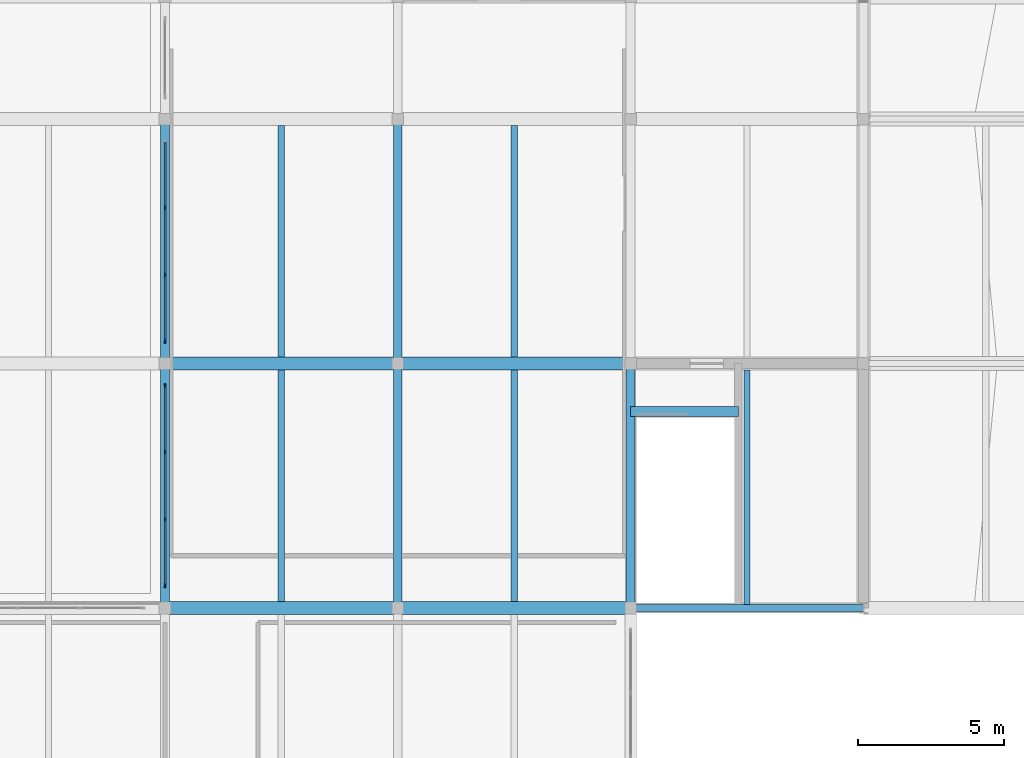
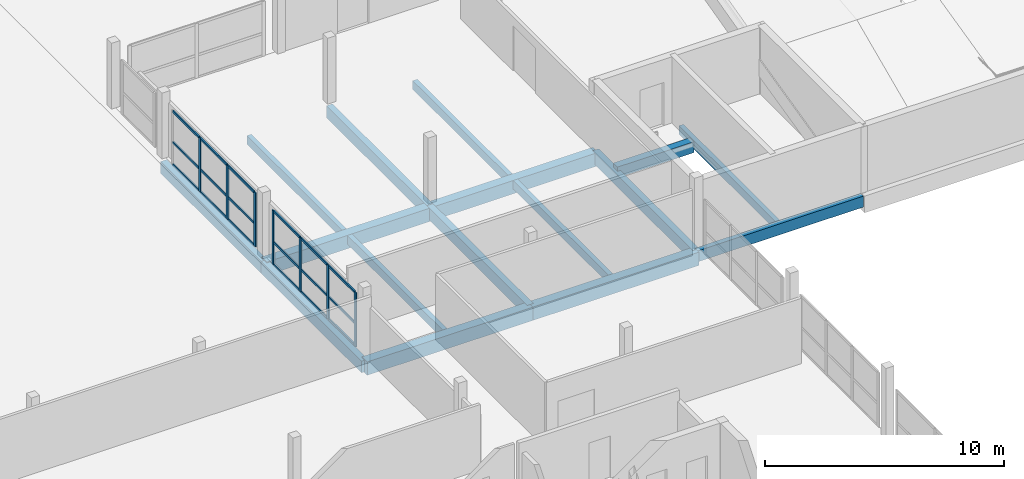
# One storey, part 21 of 51: 25 members, 16 beams, 2 elements without a shape of their own.
"""IFC4 building model written with IfcOpenShell, lengths in metres."""

from ifc_helpers import new_model, si_unit, direction, frame, origin, origin_2d, place, context, subcontext, project, spatial, rectangle, extrude, material, material_profile, profile_set, type_object, element, aggregate, save


model = new_model("IFC4")

# Units and contexts
model_context = context("Model", 3, precision=1e-05, world=origin(), true_north=direction((0.0, 1.0)))
body_context = subcontext(model_context, "Body", "Model", "MODEL_VIEW")
ifc_project = project(units=[si_unit("LENGTHUNIT", "METRE"), si_unit("AREAUNIT", "SQUARE_METRE"), si_unit("VOLUMEUNIT", "CUBIC_METRE"), si_unit("PLANEANGLEUNIT", "RADIAN"), si_unit("MASSUNIT", "GRAM", prefix="KILO")], contexts=[model_context])

# Site, building, storey
site_placement = place(None, origin())
site = spatial("IfcSite", under=ifc_project, at=site_placement, CompositionType="ELEMENT")
building_placement = place(site_placement, origin())
building = spatial("IfcBuilding", under=site, at=building_placement, Name="Vharandega Faculty of Natural Sciences", CompositionType="ELEMENT")
storey_placement = place(building_placement, frame((0.0, 0.0, 18.0)))
storey = spatial("IfcBuildingStorey", under=building, at=storey_placement, Name="L04", CompositionType="ELEMENT", Elevation=18.0)

# Curtain wall, members
ifc_material_1 = material(Name="Aluminium and solar-control glass curtain wall", Category="aluminium")
curtain_wall_type_1 = type_object("IfcCurtainWallType", Name="Unitised Curtain Wall System CW-25", PredefinedType="NOTDEFINED", material=ifc_material_1)
curtain_wall_1_placement = place(storey_placement, origin())
curtain_wall_1 = element("IfcCurtainWall", 1, at=curtain_wall_1_placement, inside=storey, type_object=curtain_wall_type_1, Name="Curtain Wall CW-L04-108", PredefinedType="NOTDEFINED")
ifc_material_2 = material(Name="Thermally broken aluminium 6063-T6", Category="aluminium")
ifc_material_profile_1 = material_profile(ifc_material_2, rectangle(XDim=0.06005859375, YDim=0.159912109375, at=origin_2d()), Name="ALU 60x160")
ifc_profile_set_1 = profile_set([ifc_material_profile_1], Name="Thermally broken aluminium 6063-T6")
member_type_1 = type_object("IfcMemberType", Name="CW Mullion 60x160", PredefinedType="MULLION", material=ifc_profile_set_1)
member_1_placement = place(storey_placement, frame((32.0, 64.77001953125, 0.0), z_axis=(0.0, 0.0, 1.0), x_axis=(-1.0, 0.0, 0.0)))
member_1 = element("IfcMember", 2, at=member_1_placement, type_object=member_type_1, Name="CW-25 mullion 1", PredefinedType="MULLION", context=body_context, shape_type="SweptSolid", body=[
    extrude(rectangle(XDim=0.06005859375, YDim=0.159912109375, at=origin_2d()), origin(), (0.0, 0.0, 1.0), 2.760009765625),
])
member_2_placement = place(storey_placement, frame((32.0, 67.046630859375, 0.0), z_axis=(0.0, 0.0, 1.0), x_axis=(-1.0, 0.0, 0.0)))
member_2 = element("IfcMember", 3, at=member_2_placement, type_object=member_type_1, Name="CW-25 mullion 2", PredefinedType="MULLION", context=body_context, shape_type="SweptSolid", body=[
    extrude(rectangle(XDim=0.06005859375, YDim=0.159912109375, at=origin_2d()), origin(), (0.0, 0.0, 1.0), 2.760009765625),
])
member_3_placement = place(storey_placement, frame((32.0, 69.353271484375, 0.0), z_axis=(0.0, 0.0, 1.0), x_axis=(-1.0, 0.0, 0.0)))
member_3 = element("IfcMember", 4, at=member_3_placement, type_object=member_type_1, Name="CW-25 mullion 3", PredefinedType="MULLION", context=body_context, shape_type="SweptSolid", body=[
    extrude(rectangle(XDim=0.06005859375, YDim=0.159912109375, at=origin_2d()), origin(), (0.0, 0.0, 1.0), 2.760009765625),
])
member_4_placement = place(storey_placement, frame((32.0, 71.6298828125, 0.0), z_axis=(0.0, 0.0, 1.0), x_axis=(-1.0, 0.0, 0.0)))
member_4 = element("IfcMember", 5, at=member_4_placement, type_object=member_type_1, Name="CW-25 mullion 4", PredefinedType="MULLION", context=body_context, shape_type="SweptSolid", body=[
    extrude(rectangle(XDim=0.06005859375, YDim=0.159912109375, at=origin_2d()), origin(), (0.0, 0.0, 1.0), 2.760009765625),
])

ifc_material_3 = material(Name="Aluminium and solar-control glass curtain wall", Category="aluminium")
curtain_wall_type_2 = type_object("IfcCurtainWallType", Name="Unitised Curtain Wall System CW-26", PredefinedType="NOTDEFINED", material=ifc_material_3)
curtain_wall_2_placement = place(storey_placement, origin())
curtain_wall_2 = element("IfcCurtainWall", 6, at=curtain_wall_2_placement, inside=storey, type_object=curtain_wall_type_2, Name="Curtain Wall CW-L04-109", PredefinedType="NOTDEFINED")
member_5_placement = place(storey_placement, frame((32.0, 73.169921875, 0.0), z_axis=(0.0, 0.0, 1.0), x_axis=(-1.0, 0.0, 0.0)))
member_5 = element("IfcMember", 7, at=member_5_placement, type_object=member_type_1, Name="CW-26 mullion 1", PredefinedType="MULLION", context=body_context, shape_type="SweptSolid", body=[
    extrude(rectangle(XDim=0.06005859375, YDim=0.159912109375, at=origin_2d()), origin(), (0.0, 0.0, 1.0), 2.760009765625),
])
member_6_placement = place(storey_placement, frame((32.0, 75.44677734375, 0.0), z_axis=(0.0, 0.0, 1.0), x_axis=(-1.0, 0.0, 0.0)))
member_6 = element("IfcMember", 8, at=member_6_placement, type_object=member_type_1, Name="CW-26 mullion 2", PredefinedType="MULLION", context=body_context, shape_type="SweptSolid", body=[
    extrude(rectangle(XDim=0.06005859375, YDim=0.159912109375, at=origin_2d()), origin(), (0.0, 0.0, 1.0), 2.760009765625),
])
member_7_placement = place(storey_placement, frame((32.0, 77.75341796875, 0.0), z_axis=(0.0, 0.0, 1.0), x_axis=(-1.0, 0.0, 0.0)))
member_7 = element("IfcMember", 9, at=member_7_placement, type_object=member_type_1, Name="CW-26 mullion 3", PredefinedType="MULLION", context=body_context, shape_type="SweptSolid", body=[
    extrude(rectangle(XDim=0.06005859375, YDim=0.159912109375, at=origin_2d()), origin(), (0.0, 0.0, 1.0), 2.760009765625),
])

# Member
ifc_material_4 = material(Name="Thermally broken aluminium 6063-T6", Category="aluminium")
ifc_material_profile_2 = material_profile(ifc_material_4, rectangle(XDim=0.06005859375, YDim=0.1201171875, at=origin_2d()), Name="ALU 60x120")
ifc_profile_set_2 = profile_set([ifc_material_profile_2], Name="Thermally broken aluminium 6063-T6")
member_type_2 = type_object("IfcMemberType", Name="CW Transom 60x120", PredefinedType="USERDEFINED", material=ifc_profile_set_2)
member_8_placement = place(storey_placement, frame((32.0, 64.800048828125, 0.030029296875), z_axis=(0.0, 1.0, 0.0), x_axis=(-1.0, 0.0, 0.0)))
member_8 = element("IfcMember", 10, at=member_8_placement, type_object=member_type_2, Name="CW-25 transom 1.1", ObjectType="TRANSOM", PredefinedType="USERDEFINED", context=body_context, shape_type="SweptSolid", body=[
    extrude(rectangle(XDim=0.06005859375, YDim=0.1201171875, at=origin_2d()), origin(), (0.0, 0.0, 1.0), 2.216552734375),
])

member_9_placement = place(storey_placement, frame((32.0, 64.800048828125, 1.1591796875), z_axis=(0.0, 1.0, 0.0), x_axis=(-1.0, 0.0, 0.0)))
member_9 = element("IfcMember", 11, at=member_9_placement, type_object=member_type_2, Name="CW-25 transom 1.2", ObjectType="TRANSOM", PredefinedType="USERDEFINED", context=body_context, shape_type="SweptSolid", body=[
    extrude(rectangle(XDim=0.06005859375, YDim=0.1201171875, at=origin_2d()), origin(), (0.0, 0.0, 1.0), 2.216552734375),
])

member_10_placement = place(storey_placement, frame((32.0, 64.800048828125, 2.72998046875), z_axis=(0.0, 1.0, 0.0), x_axis=(-1.0, 0.0, 0.0)))
member_10 = element("IfcMember", 12, at=member_10_placement, type_object=member_type_2, Name="CW-25 transom 1.3", ObjectType="TRANSOM", PredefinedType="USERDEFINED", context=body_context, shape_type="SweptSolid", body=[
    extrude(rectangle(XDim=0.06005859375, YDim=0.1201171875, at=origin_2d()), origin(), (0.0, 0.0, 1.0), 2.216552734375),
])

member_11_placement = place(storey_placement, frame((32.0, 67.07666015625, 0.030029296875), z_axis=(0.0, 1.0, 0.0), x_axis=(-1.0, 0.0, 0.0)))
member_11 = element("IfcMember", 13, at=member_11_placement, type_object=member_type_2, Name="CW-25 transom 2.1", ObjectType="TRANSOM", PredefinedType="USERDEFINED", context=body_context, shape_type="SweptSolid", body=[
    extrude(rectangle(XDim=0.06005859375, YDim=0.1201171875, at=origin_2d()), origin(), (0.0, 0.0, 1.0), 2.24658203125),
])

member_12_placement = place(storey_placement, frame((32.0, 67.07666015625, 1.1591796875), z_axis=(0.0, 1.0, 0.0), x_axis=(-1.0, 0.0, 0.0)))
member_12 = element("IfcMember", 14, at=member_12_placement, type_object=member_type_2, Name="CW-25 transom 2.2", ObjectType="TRANSOM", PredefinedType="USERDEFINED", context=body_context, shape_type="SweptSolid", body=[
    extrude(rectangle(XDim=0.06005859375, YDim=0.1201171875, at=origin_2d()), origin(), (0.0, 0.0, 1.0), 2.24658203125),
])

member_13_placement = place(storey_placement, frame((32.0, 67.07666015625, 2.72998046875), z_axis=(0.0, 1.0, 0.0), x_axis=(-1.0, 0.0, 0.0)))
member_13 = element("IfcMember", 15, at=member_13_placement, type_object=member_type_2, Name="CW-25 transom 2.3", ObjectType="TRANSOM", PredefinedType="USERDEFINED", context=body_context, shape_type="SweptSolid", body=[
    extrude(rectangle(XDim=0.06005859375, YDim=0.1201171875, at=origin_2d()), origin(), (0.0, 0.0, 1.0), 2.24658203125),
])

member_14_placement = place(storey_placement, frame((32.0, 69.38330078125, 0.030029296875), z_axis=(0.0, 1.0, 0.0), x_axis=(-1.0, 0.0, 0.0)))
member_14 = element("IfcMember", 16, at=member_14_placement, type_object=member_type_2, Name="CW-25 transom 3.1", ObjectType="TRANSOM", PredefinedType="USERDEFINED", context=body_context, shape_type="SweptSolid", body=[
    extrude(rectangle(XDim=0.06005859375, YDim=0.1201171875, at=origin_2d()), origin(), (0.0, 0.0, 1.0), 2.216796875),
])

member_15_placement = place(storey_placement, frame((32.0, 69.38330078125, 1.1591796875), z_axis=(0.0, 1.0, 0.0), x_axis=(-1.0, 0.0, 0.0)))
member_15 = element("IfcMember", 17, at=member_15_placement, type_object=member_type_2, Name="CW-25 transom 3.2", ObjectType="TRANSOM", PredefinedType="USERDEFINED", context=body_context, shape_type="SweptSolid", body=[
    extrude(rectangle(XDim=0.06005859375, YDim=0.1201171875, at=origin_2d()), origin(), (0.0, 0.0, 1.0), 2.216796875),
])

member_16_placement = place(storey_placement, frame((32.0, 69.38330078125, 2.72998046875), z_axis=(0.0, 1.0, 0.0), x_axis=(-1.0, 0.0, 0.0)))
member_16 = element("IfcMember", 18, at=member_16_placement, type_object=member_type_2, Name="CW-25 transom 3.3", ObjectType="TRANSOM", PredefinedType="USERDEFINED", context=body_context, shape_type="SweptSolid", body=[
    extrude(rectangle(XDim=0.06005859375, YDim=0.1201171875, at=origin_2d()), origin(), (0.0, 0.0, 1.0), 2.216796875),
])

aggregate(curtain_wall_1, [member_1, member_2, member_3, member_4, member_8, member_9, member_10, member_11, member_12, member_13, member_14, member_15, member_16])

member_17_placement = place(storey_placement, frame((32.0, 73.199951171875, 0.030029296875), z_axis=(0.0, 1.0, 0.0), x_axis=(-1.0, 0.0, 0.0)))
member_17 = element("IfcMember", 19, at=member_17_placement, type_object=member_type_2, Name="CW-26 transom 1.1", ObjectType="TRANSOM", PredefinedType="USERDEFINED", context=body_context, shape_type="SweptSolid", body=[
    extrude(rectangle(XDim=0.06005859375, YDim=0.1201171875, at=origin_2d()), origin(), (0.0, 0.0, 1.0), 2.216796875),
])

member_18_placement = place(storey_placement, frame((32.0, 73.199951171875, 1.1591796875), z_axis=(0.0, 1.0, 0.0), x_axis=(-1.0, 0.0, 0.0)))
member_18 = element("IfcMember", 20, at=member_18_placement, type_object=member_type_2, Name="CW-26 transom 1.2", ObjectType="TRANSOM", PredefinedType="USERDEFINED", context=body_context, shape_type="SweptSolid", body=[
    extrude(rectangle(XDim=0.06005859375, YDim=0.1201171875, at=origin_2d()), origin(), (0.0, 0.0, 1.0), 2.216796875),
])

member_19_placement = place(storey_placement, frame((32.0, 73.199951171875, 2.72998046875), z_axis=(0.0, 1.0, 0.0), x_axis=(-1.0, 0.0, 0.0)))
member_19 = element("IfcMember", 21, at=member_19_placement, type_object=member_type_2, Name="CW-26 transom 1.3", ObjectType="TRANSOM", PredefinedType="USERDEFINED", context=body_context, shape_type="SweptSolid", body=[
    extrude(rectangle(XDim=0.06005859375, YDim=0.1201171875, at=origin_2d()), origin(), (0.0, 0.0, 1.0), 2.216796875),
])

member_20_placement = place(storey_placement, frame((32.0, 75.4765625, 0.030029296875), z_axis=(0.0, 1.0, 0.0), x_axis=(-1.0, 0.0, 0.0)))
member_20 = element("IfcMember", 22, at=member_20_placement, type_object=member_type_2, Name="CW-26 transom 2.1", ObjectType="TRANSOM", PredefinedType="USERDEFINED", context=body_context, shape_type="SweptSolid", body=[
    extrude(rectangle(XDim=0.06005859375, YDim=0.1201171875, at=origin_2d()), origin(), (0.0, 0.0, 1.0), 2.246826171875),
])

member_21_placement = place(storey_placement, frame((32.0, 75.4765625, 1.1591796875), z_axis=(0.0, 1.0, 0.0), x_axis=(-1.0, 0.0, 0.0)))
member_21 = element("IfcMember", 23, at=member_21_placement, type_object=member_type_2, Name="CW-26 transom 2.2", ObjectType="TRANSOM", PredefinedType="USERDEFINED", context=body_context, shape_type="SweptSolid", body=[
    extrude(rectangle(XDim=0.06005859375, YDim=0.1201171875, at=origin_2d()), origin(), (0.0, 0.0, 1.0), 2.246826171875),
])

member_22_placement = place(storey_placement, frame((32.0, 75.4765625, 2.72998046875), z_axis=(0.0, 1.0, 0.0), x_axis=(-1.0, 0.0, 0.0)))
member_22 = element("IfcMember", 24, at=member_22_placement, type_object=member_type_2, Name="CW-26 transom 2.3", ObjectType="TRANSOM", PredefinedType="USERDEFINED", context=body_context, shape_type="SweptSolid", body=[
    extrude(rectangle(XDim=0.06005859375, YDim=0.1201171875, at=origin_2d()), origin(), (0.0, 0.0, 1.0), 2.246826171875),
])

member_23_placement = place(storey_placement, frame((32.0, 77.783447265625, 0.030029296875), z_axis=(0.0, 1.0, 0.0), x_axis=(-1.0, 0.0, 0.0)))
member_23 = element("IfcMember", 25, at=member_23_placement, type_object=member_type_2, Name="CW-26 transom 3.1", ObjectType="TRANSOM", PredefinedType="USERDEFINED", context=body_context, shape_type="SweptSolid", body=[
    extrude(rectangle(XDim=0.06005859375, YDim=0.1201171875, at=origin_2d()), origin(), (0.0, 0.0, 1.0), 2.216552734375),
])

member_24_placement = place(storey_placement, frame((32.0, 77.783447265625, 1.1591796875), z_axis=(0.0, 1.0, 0.0), x_axis=(-1.0, 0.0, 0.0)))
member_24 = element("IfcMember", 26, at=member_24_placement, type_object=member_type_2, Name="CW-26 transom 3.2", ObjectType="TRANSOM", PredefinedType="USERDEFINED", context=body_context, shape_type="SweptSolid", body=[
    extrude(rectangle(XDim=0.06005859375, YDim=0.1201171875, at=origin_2d()), origin(), (0.0, 0.0, 1.0), 2.216552734375),
])

member_25_placement = place(storey_placement, frame((32.0, 77.783447265625, 2.72998046875), z_axis=(0.0, 1.0, 0.0), x_axis=(-1.0, 0.0, 0.0)))
member_25 = element("IfcMember", 27, at=member_25_placement, type_object=member_type_2, Name="CW-26 transom 3.3", ObjectType="TRANSOM", PredefinedType="USERDEFINED", context=body_context, shape_type="SweptSolid", body=[
    extrude(rectangle(XDim=0.06005859375, YDim=0.1201171875, at=origin_2d()), origin(), (0.0, 0.0, 1.0), 2.216552734375),
])

aggregate(curtain_wall_2, [member_5, member_6, member_7, member_17, member_18, member_19, member_20, member_21, member_22, member_23, member_24, member_25])

# Beams
ifc_material_5 = material(Name="Glulam GL28h", Category="wood")
ifc_material_profile_3 = material_profile(ifc_material_5, rectangle(XDim=0.300048828125, YDim=0.60009765625, at=origin_2d()), Name="GL28h 300x600")
ifc_profile_set_3 = profile_set([ifc_material_profile_3], Name="Glulam GL28h")
beam_type_1 = type_object("IfcBeamType", Name="Glulam Floor Beam 300x600", PredefinedType="BEAM", material=ifc_profile_set_3)
beam_1_placement = place(storey_placement, frame((32.0, 64.0, -0.56005859375), z_axis=(0.0, 1.0, 0.0), x_axis=(-1.0, 0.0, 0.0)))
element("IfcBeam", 28, at=beam_1_placement, inside=storey, type_object=beam_type_1, Name="Beam L04 5/J-K", PredefinedType="BEAM", context=body_context, shape_type="SweptSolid", body=[
    extrude(rectangle(XDim=0.300048828125, YDim=0.60009765625, at=origin_2d()), origin(), (0.0, 0.0, 1.0), 8.39990234375),
])
beam_2_placement = place(storey_placement, frame((32.0, 72.39990234375, -0.56005859375), z_axis=(0.0, 1.0, 0.0), x_axis=(-1.0, 0.0, 0.0)))
element("IfcBeam", 29, at=beam_2_placement, inside=storey, type_object=beam_type_1, Name="Beam L04 5/K-L", PredefinedType="BEAM", context=body_context, shape_type="SweptSolid", body=[
    extrude(rectangle(XDim=0.300048828125, YDim=0.60009765625, at=origin_2d()), origin(), (0.0, 0.0, 1.0), 8.400146484375),
])
beam_3_placement = place(storey_placement, frame((40.0, 64.0, -0.52001953125), z_axis=(0.0, 1.0, 0.0), x_axis=(-1.0, 0.0, 0.0)))
element("IfcBeam", 30, at=beam_3_placement, inside=storey, type_object=beam_type_1, Name="Beam L04 6/J-K", PredefinedType="BEAM", context=body_context, shape_type="SweptSolid", body=[
    extrude(rectangle(XDim=0.300048828125, YDim=0.60009765625, at=origin_2d()), origin(), (0.0, 0.0, 1.0), 8.39990234375),
])
beam_4_placement = place(storey_placement, frame((40.0, 72.39990234375, -0.52001953125), z_axis=(0.0, 1.0, 0.0), x_axis=(-1.0, 0.0, 0.0)))
element("IfcBeam", 31, at=beam_4_placement, inside=storey, type_object=beam_type_1, Name="Beam L04 6/K-L", PredefinedType="BEAM", context=body_context, shape_type="SweptSolid", body=[
    extrude(rectangle(XDim=0.300048828125, YDim=0.60009765625, at=origin_2d()), origin(), (0.0, 0.0, 1.0), 8.400146484375),
])
beam_5_placement = place(storey_placement, frame((48.0, 64.0, -0.52001953125), z_axis=(0.0, 1.0, 0.0), x_axis=(-1.0, 0.0, 0.0)))
element("IfcBeam", 32, at=beam_5_placement, inside=storey, type_object=beam_type_1, Name="Beam L04 7/J-K", PredefinedType="BEAM", context=body_context, shape_type="SweptSolid", body=[
    extrude(rectangle(XDim=0.300048828125, YDim=0.60009765625, at=origin_2d()), origin(), (0.0, 0.0, 1.0), 8.39990234375),
])
ifc_material_6 = material(Name="Glulam GL32h", Category="wood")
ifc_material_profile_4 = material_profile(ifc_material_6, rectangle(XDim=0.43994140625, YDim=0.679931640625, at=origin_2d()), Name="GL32h 440x680")
ifc_profile_set_4 = profile_set([ifc_material_profile_4], Name="Glulam GL32h")
beam_type_2 = type_object("IfcBeamType", Name="Glulam Girder 440x680", PredefinedType="BEAM", material=ifc_profile_set_4)
for number, where, z_axis, x_axis, name in (
    (33, (32.0, 64.0, -0.56005859375), (1.0, 0.0, 0.0), (0.0, 1.0, 0.0), "Beam L04 J/5-6"),
    (34, (40.0, 64.0, -0.56005859375), (1.0, 0.0, 0.0), (0.0, 1.0, 0.0), "Beam L04 J/6-7"),
    (35, (32.0, 72.39990234375, -0.56005859375), (1.0, 0.0, 0.0), (0.0, 1.0, 0.0), "Beam L04 K/5-6"),
    (36, (40.0, 72.39990234375, -0.56005859375), (1.0, 0.0, 0.0), (0.0, 1.0, 0.0), "Beam L04 K/6-7"),
):
    element("IfcBeam", number, at=place(storey_placement, frame(where, z_axis=z_axis, x_axis=x_axis)), inside=storey, type_object=beam_type_2, Name=name, PredefinedType="BEAM", context=body_context, shape_type="SweptSolid", body=[
        extrude(rectangle(XDim=0.43994140625, YDim=0.679931640625, at=origin_2d()), origin(), (0.0, 0.0, 1.0), 8.0),
    ])
ifc_material_7 = material(Name="Glulam GL28h", Category="wood")
ifc_material_profile_5 = material_profile(ifc_material_7, rectangle(XDim=0.219970703125, YDim=0.43994140625, at=origin_2d()), Name="GL28h 220x440")
ifc_profile_set_5 = profile_set([ifc_material_profile_5], Name="Glulam GL28h")
beam_type_3 = type_object("IfcBeamType", Name="Glulam Secondary Joist 220x440", PredefinedType="JOIST", material=ifc_profile_set_5)
for number, where, z_axis, x_axis, name in (
    (37, (36.0, 64.219970703125, -0.43994140625), (0.0, 1.0, 0.0), (-1.0, 0.0, 0.0), "Secondary Joist L04 5-6/J-K"),
    (38, (36.0, 72.6201171875, -0.43994140625), (0.0, 1.0, 0.0), (-1.0, 0.0, 0.0), "Secondary Joist L04 5-6/K-L"),
    (39, (44.0, 64.219970703125, -0.43994140625), (0.0, 1.0, 0.0), (-1.0, 0.0, 0.0), "Secondary Joist L04 6-7/J-K"),
    (40, (44.0, 72.6201171875, -0.43994140625), (0.0, 1.0, 0.0), (-1.0, 0.0, 0.0), "Secondary Joist L04 6-7/K-L"),
):
    element("IfcBeam", number, at=place(storey_placement, frame(where, z_axis=z_axis, x_axis=x_axis)), inside=storey, type_object=beam_type_3, Name=name, PredefinedType="JOIST", context=body_context, shape_type="SweptSolid", body=[
        extrude(rectangle(XDim=0.219970703125, YDim=0.43994140625, at=origin_2d()), origin(), (0.0, 0.0, 1.0), 7.9599609375),
    ])
beam_6_placement = place(storey_placement, frame((52.0, 64.1201171875, -0.43994140625), z_axis=(0.0, 1.0, 0.0), x_axis=(-1.0, 0.0, 0.0)))
element("IfcBeam", 41, at=beam_6_placement, inside=storey, type_object=beam_type_3, Name="Secondary Joist L04 7-8/J-K", PredefinedType="JOIST", context=body_context, shape_type="SweptSolid", body=[
    extrude(rectangle(XDim=0.219970703125, YDim=0.43994140625, at=origin_2d()), origin(), (0.0, 0.0, 1.0), 8.059814453125),
])
ifc_material_8 = material(Name="Glulam GL28h", Category="wood")
ifc_material_profile_6 = material_profile(ifc_material_8, rectangle(XDim=0.239990234375, YDim=0.56005859375, at=origin_2d()), Name="GL28h 240x560")
ifc_profile_set_6 = profile_set([ifc_material_profile_6], Name="Glulam GL28h")
beam_type_4 = type_object("IfcBeamType", Name="Glulam Spandrel Edge Beam 240x560", PredefinedType="SPANDREL", material=ifc_profile_set_6)
beam_7_placement = place(storey_placement, frame((48.0, 64.0, -0.5), z_axis=(1.0, 0.0, 0.0), x_axis=(0.0, 1.0, 0.0)))
element("IfcBeam", 42, at=beam_7_placement, inside=storey, type_object=beam_type_4, Name="Beam L04 J/7-8", PredefinedType="SPANDREL", context=body_context, shape_type="SweptSolid", body=[
    extrude(rectangle(XDim=0.239990234375, YDim=0.56005859375, at=origin_2d()), origin(), (0.0, 0.0, 1.0), 8.0),
])
ifc_material_9 = material(Name="Concrete C40/50", Category="concrete")
ifc_material_profile_7 = material_profile(ifc_material_9, rectangle(XDim=0.35009765625, YDim=0.550048828125, at=origin_2d()), Name="RC 350x550")
ifc_profile_set_7 = profile_set([ifc_material_profile_7], Name="Concrete C40/50")
beam_type_5 = type_object("IfcBeamType", Name="Stair Header Trimmer Beam 350x550", PredefinedType="BEAM", material=ifc_profile_set_7)
beam_8_placement = place(storey_placement, frame((48.0, 70.75, -0.27490234375), z_axis=(1.0, 0.0, 0.0), x_axis=(0.0, 1.0, 0.0)))
element("IfcBeam", 43, at=beam_8_placement, inside=storey, type_object=beam_type_5, Name="Stair Landing Trimmer Beam C5 L04", PredefinedType="BEAM", context=body_context, shape_type="SweptSolid", body=[
    extrude(rectangle(XDim=0.35009765625, YDim=0.550048828125, at=origin_2d()), origin(), (0.0, 0.0, 1.0), 3.699951171875),
])

save(model, "model.ifc")
